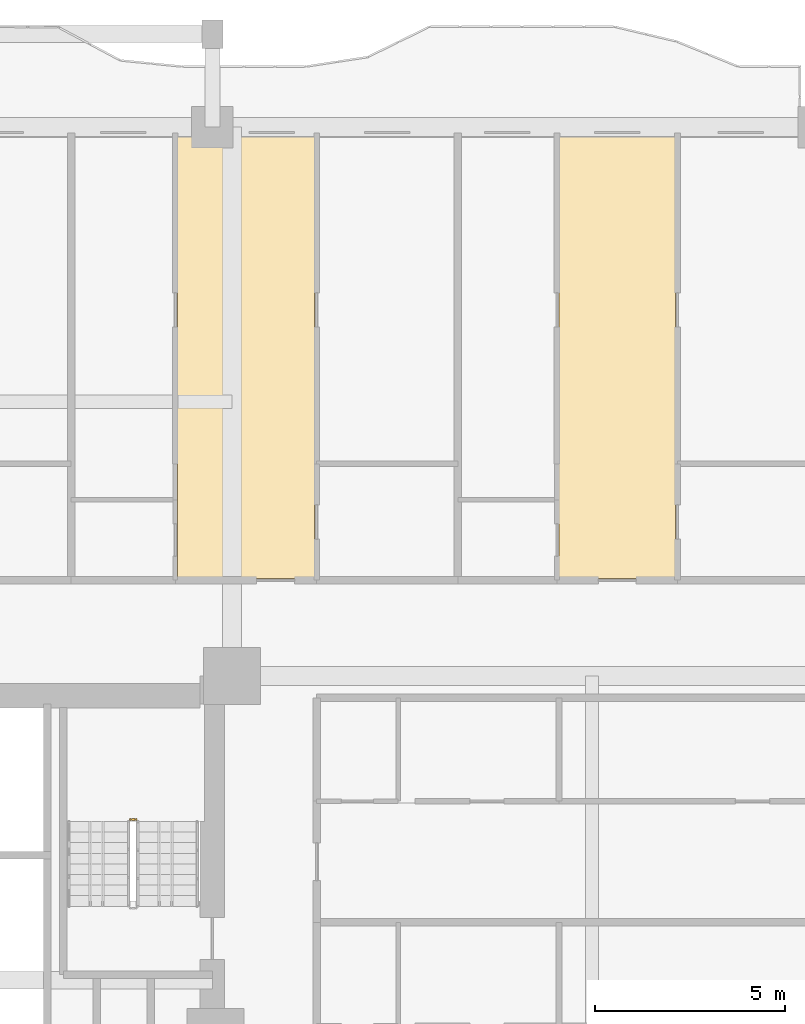
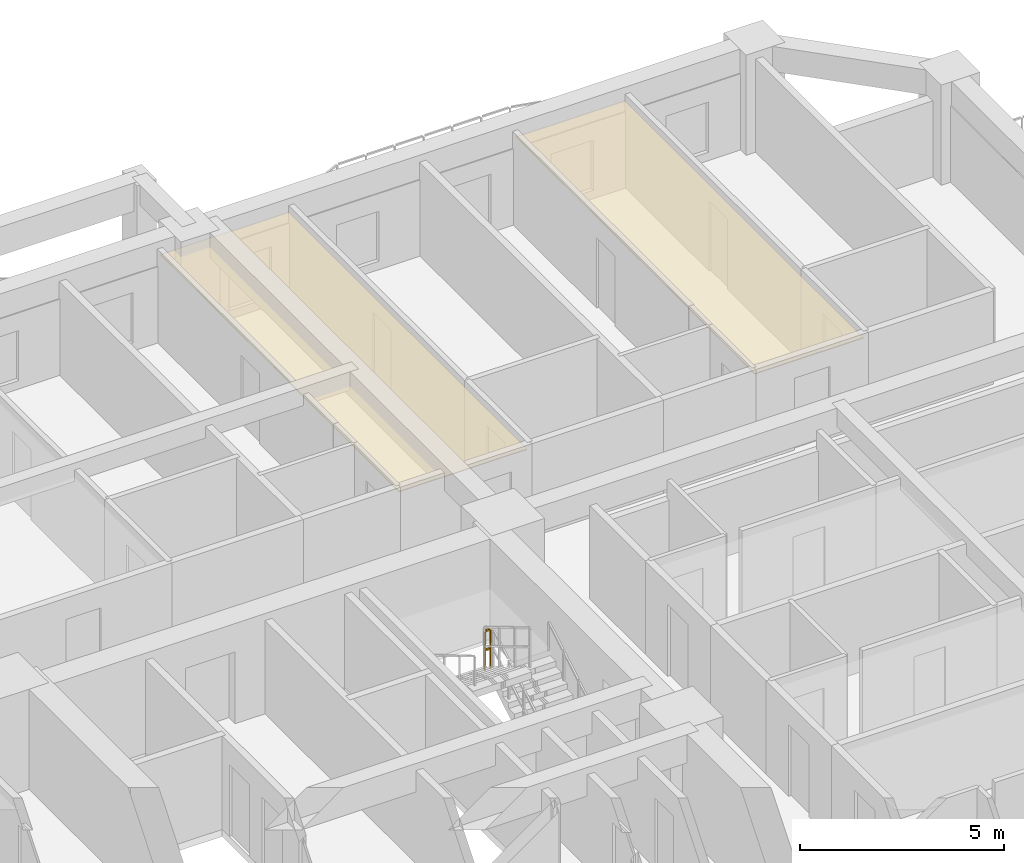
# One storey, part 16 of 16: 2 coverings, 1 railing.
"""IFC4 building model written with IfcOpenShell, lengths in metres."""

import ifcopenshell
import ifcopenshell.guid

model = None  # the IFC model being written
_history = None  # IfcOwnerHistory: only IFC2X3 demands one
_inside = {}  # id of a spatial element -> (the spatial element, [elements in it])
_under = {}  # id of a project, library or spatial element -> (it, [spatial elements below it])
_declared = {}  # id of a project -> (the project, [libraries it declares])
_typed = {}  # id of a type object -> (the type object, [elements of that type])
_made_of = {}  # id of a material, layer set ... -> (it, [elements and type objects made of it])


def new_model(schema):
    """Start an empty IFC model of exactly this schema.

    Asked for "IFC4X3", IfcOpenShell would pick the latest addendum, in which some entities
    have other attributes; the version numbers below select the first issue.
    IFC2X3 requires an IfcOwnerHistory on every rooted entity: one is made here for all.
    """
    global model, _history
    if schema == "IFC4X3":
        model = ifcopenshell.file(schema_version=(4, 3, 0, 0))
    else:
        model = ifcopenshell.file(schema=schema)
    _inside.clear()
    _under.clear()
    _declared.clear()
    _typed.clear()
    _made_of.clear()
    _history = None
    if model.schema == "IFC2X3":
        org = make("IfcOrganization", Name="unknown")
        user = make(
            "IfcPersonAndOrganization",
            ThePerson=make("IfcPerson", FamilyName="unknown"),
            TheOrganization=org,
        )
        app = make(
            "IfcApplication",
            ApplicationDeveloper=org,
            Version="unknown",
            ApplicationFullName="unknown",
            ApplicationIdentifier="unknown",
        )
        _history = make(
            "IfcOwnerHistory",
            OwningUser=user,
            OwningApplication=app,
            ChangeAction="ADDED",
            CreationDate=0,
        )
    return model


def make(cls, **values):
    """One entity of the class cls with the attributes given. An attribute that is None is left unset."""
    return model.create_entity(
        cls, **{name: value for name, value in values.items() if value is not None}
    )


def rooted(cls, **values):
    """An entity with a GlobalId (a new one), such as an element, a storey or a relation."""
    return make(cls, GlobalId=ifcopenshell.guid.new(), OwnerHistory=_history, **values)


def si_unit(unit_type, name, prefix=None):
    """IfcSIUnit, for example si_unit("LENGTHUNIT", "METRE", prefix="MILLI")."""
    return make("IfcSIUnit", UnitType=unit_type, Prefix=prefix, Name=name)


def assignment(units):
    """IfcUnitAssignment: the units of a project."""
    return None if units is None else make("IfcUnitAssignment", Units=units)


def point(xyz):
    """IfcCartesianPoint."""
    return None if xyz is None else make("IfcCartesianPoint", Coordinates=xyz)


def direction(xyz):
    """IfcDirection."""
    return None if xyz is None else make("IfcDirection", DirectionRatios=xyz)


def frame(location, z_axis=None, x_axis=None):
    """IfcAxis2Placement3D, a coordinate frame: its origin and axes. An axis left out is left unset."""
    return make(
        "IfcAxis2Placement3D",
        Location=point(location),
        Axis=direction(z_axis),
        RefDirection=direction(x_axis),
    )


def frame_2d(location, x_axis=None):
    """IfcAxis2Placement2D, a coordinate frame in the plane: its origin and x axis."""
    return make(
        "IfcAxis2Placement2D", Location=point(location), RefDirection=direction(x_axis)
    )


def origin():
    """The frame at (0, 0, 0) with its axes left unset."""
    return frame((0.0, 0.0, 0.0))


def origin_2d():
    """The frame at (0, 0) in the plane with its x axis left unset."""
    return frame_2d((0.0, 0.0))


def place(relative_to, where):
    """IfcLocalPlacement: puts the frame where relative to a parent placement (None: the world)."""
    return make(
        "IfcLocalPlacement", PlacementRelTo=relative_to, RelativePlacement=where
    )


def context(
    kind, dimensions, precision=None, world=None, true_north=None, identifier=None
):
    """IfcGeometricRepresentationContext, for example the 3D "Model" context."""
    return make(
        "IfcGeometricRepresentationContext",
        ContextIdentifier=identifier,
        ContextType=kind,
        CoordinateSpaceDimension=dimensions,
        Precision=precision,
        WorldCoordinateSystem=world,
        TrueNorth=true_north,
    )


def subcontext(parent, identifier, kind, view, scale=None):
    """IfcGeometricRepresentationSubContext, for example "Body" below "Model"."""
    return make(
        "IfcGeometricRepresentationSubContext",
        ContextIdentifier=identifier,
        ContextType=kind,
        ParentContext=parent,
        TargetScale=scale,
        TargetView=view,
    )


def project(units=None, contexts=None):
    """IfcProject with its units and contexts."""
    return rooted(
        "IfcProject",
        Name="project",
        RepresentationContexts=contexts,
        UnitsInContext=assignment(units),
    )


def spatial(cls, under=None, at=None, **own):
    """A site, building, storey or space (cls), placed at a placement, below another one or the project."""
    s = rooted(cls, ObjectPlacement=at, **own)
    if under is not None:
        _under.setdefault(under.id(), (under, []))[1].append(s)
    return s


def polyline(points):
    """IfcPolyline through the points."""
    return make("IfcPolyline", Points=[point(p) for p in points])


def profile(cls, at=None, kind="AREA", **sizes):
    """A parametric profile (cls). Its sizes go by their IFC names, for example OverallWidth=200.0."""
    return make(cls, ProfileType=kind, Position=at, **sizes)


def rectangle(**sizes):
    """IfcRectangleProfileDef."""
    return profile("IfcRectangleProfileDef", **sizes)


def outline(outer, holes=None, kind="AREA"):
    """IfcArbitraryClosedProfileDef: a profile drawn as a closed curve; with holes, ...WithVoids."""
    if holes is None:
        return make("IfcArbitraryClosedProfileDef", ProfileType=kind, OuterCurve=outer)
    return make(
        "IfcArbitraryProfileDefWithVoids",
        ProfileType=kind,
        OuterCurve=outer,
        InnerCurves=holes,
    )


def extrude(swept, where, along, depth):
    """IfcExtrudedAreaSolid: the profile swept, set in the frame where, extruded along a direction by depth."""
    return make(
        "IfcExtrudedAreaSolid",
        SweptArea=swept,
        Position=where,
        ExtrudedDirection=direction(along),
        Depth=depth,
    )


def shape(context_of_items, identifier, shape_type, items):
    """IfcShapeRepresentation: the items that make up one representation, for example the "Body"."""
    return make(
        "IfcShapeRepresentation",
        ContextOfItems=context_of_items,
        RepresentationIdentifier=identifier,
        RepresentationType=shape_type,
        Items=items,
    )


def material(Name=None, Category=None):
    """IfcMaterial."""
    return make("IfcMaterial", Name=Name, Category=Category)


def layer(
    of_material, thickness, ventilated=None, Name=None, Category=None, Priority=None
):
    """IfcMaterialLayer: one layer of a wall or slab, of a material (None: an air gap)."""
    return make(
        "IfcMaterialLayer",
        Material=of_material,
        LayerThickness=thickness,
        IsVentilated=ventilated,
        Name=Name,
        Category=Category,
        Priority=Priority,
    )


def layer_set(layers, Name=None):
    """IfcMaterialLayerSet."""
    return make("IfcMaterialLayerSet", MaterialLayers=layers, LayerSetName=Name)


def made_of(thing, what):
    """Note that an element or type object is made of a material, layer set ...; save() writes the relation."""
    if what is not None:
        _made_of.setdefault(what.id(), (what, []))[1].append(thing)
    return thing


def type_object(cls, material=None, **own):
    """A type object (cls), such as IfcWallType, which elements share."""
    return made_of(rooted(cls, **own), material)


def element(
    cls,
    number,
    at=None,
    inside=None,
    cuts=None,
    type_object=None,
    material=None,
    context=None,
    identifier="Body",
    shape_type=None,
    held_by="IfcProductDefinitionShape",
    body=None,
    shapes=None,
    **own,
):
    """One element of the class cls, such as IfcWall. Its Tag is "e" and its number.

    at: its placement. inside: the storey or other place that contains it. cuts: it is an
    opening in that element (IfcRelVoidsElement). A single representation is given by context,
    identifier, shape_type and body (its items); several are given by shapes. held_by: the class
    of the entity that holds the representations. save() writes the other relations.
    """
    e = rooted(cls, Tag="e%d" % number, ObjectPlacement=at, **own)
    if body is not None:
        shapes = [shape(context, identifier, shape_type, body)]
    if shapes is not None:
        e.Representation = make(held_by, Representations=shapes)
    if inside is not None:
        _inside.setdefault(inside.id(), (inside, []))[1].append(e)
    if cuts is not None:
        rooted(
            "IfcRelVoidsElement", RelatingBuildingElement=cuts, RelatedOpeningElement=e
        )
    if type_object is not None:
        _typed.setdefault(type_object.id(), (type_object, []))[1].append(e)
    return made_of(e, material)


def aggregate(whole, parts):
    """IfcRelAggregates: a whole, such as a stair, and the parts it consists of."""
    return rooted("IfcRelAggregates", RelatingObject=whole, RelatedObjects=parts)


def save(model, path):
    """Write the relations noted so far, then the file.

    IfcRelAggregates (storeys below a building ...), IfcRelContainedInSpatialStructure (elements
    in a storey), IfcRelDefinesByType, IfcRelAssociatesMaterial and IfcRelDeclares: one each for
    every whole, place, type object, material and project.
    """
    for whole, parts in _under.values():
        aggregate(whole, parts)
    for where, things in _inside.values():
        rooted(
            "IfcRelContainedInSpatialStructure",
            RelatedElements=things,
            RelatingStructure=where,
        )
    for kind, things in _typed.values():
        rooted("IfcRelDefinesByType", RelatedObjects=things, RelatingType=kind)
    for what, things in _made_of.values():
        rooted("IfcRelAssociatesMaterial", RelatedObjects=things, RelatingMaterial=what)
    for by, libraries in _declared.values():
        rooted("IfcRelDeclares", RelatingContext=by, RelatedDefinitions=libraries)
    model.write(path)


model = new_model("IFC4")

# Units and contexts
model_context = context("Model", 3, precision=1e-05, world=origin(), true_north=direction((0.0, 1.0)))
body_context = subcontext(model_context, "Body", "Model", "MODEL_VIEW")
ifc_project = project(units=[si_unit("LENGTHUNIT", "METRE"), si_unit("AREAUNIT", "SQUARE_METRE"), si_unit("VOLUMEUNIT", "CUBIC_METRE"), si_unit("PLANEANGLEUNIT", "RADIAN"), si_unit("MASSUNIT", "GRAM", prefix="KILO")], contexts=[model_context])

# Site, building, storey
site_placement = place(None, origin())
site = spatial("IfcSite", under=ifc_project, at=site_placement, CompositionType="ELEMENT")
building_placement = place(site_placement, origin())
building = spatial("IfcBuilding", under=site, at=building_placement, Name="Saelheon Loggia Tower", CompositionType="ELEMENT")
storey_placement = place(building_placement, frame((0.0, 0.0, 37.39990234375)))
storey = spatial("IfcBuildingStorey", under=building, at=storey_placement, Name="L11", CompositionType="ELEMENT", Elevation=37.39990234375)

# Coverings
ifc_material_1 = material(Name="Mineral-Fibre Acoustic Ceiling Board", Category="gypsum")
ifc_layer = layer(ifc_material_1, 0.02490234375)
ifc_layer_set = layer_set([ifc_layer], Name="Mineral-Fibre Acoustic Ceiling Board")
covering_type = type_object("IfcCoveringType", Name="Cov_Ceiling_Acoustic", PredefinedType="CEILING", material=ifc_layer_set)
covering_1_placement = place(storey_placement, frame((0.0, 0.0, 2.53515625)))
element("IfcCovering", 1, at=covering_1_placement, inside=storey, type_object=covering_type, Name="L11 Acoustic Suspended Ceiling", PredefinedType="CEILING", context=body_context, shape_type="SweptSolid", body=[
    extrude(outline(polyline([(43.57470703125, 39.10009765625), (47.199462890625, 39.10009765625), (47.199462890625, 50.800048828125), (43.57470703125, 50.800048828125), (43.57470703125, 39.10009765625)])), origin(), (0.0, 0.0, 1.0), 0.02490234375),
])
covering_2_placement = place(storey_placement, frame((0.0, 0.0, 2.53515625)))
element("IfcCovering", 2, at=covering_2_placement, inside=storey, type_object=covering_type, Name="L11 Acoustic Suspended Ceiling", PredefinedType="CEILING", context=body_context, shape_type="SweptSolid", body=[
    extrude(outline(polyline([(53.6396484375, 39.10009765625), (56.7177734375, 39.10009765625), (56.7177734375, 50.800048828125), (53.6396484375, 50.800048828125), (53.6396484375, 39.10009765625)])), origin(), (0.0, 0.0, 1.0), 0.02490234375),
])

# Railing
ifc_material_2 = material(Name="Galvanised Steel S275 Stairwell Guardrail", Category="steel")
railing_type = type_object("IfcRailingType", Name="Guard_StairWell_RL_STG", PredefinedType="GUARDRAIL", material=ifc_material_2)
railing_placement = place(storey_placement, frame((42.489990234375, 32.739990234375, 1.5)))
element("IfcRailing", 3, at=railing_placement, inside=storey, type_object=railing_type, Name="L11 ST2 stair guard 2", PredefinedType="GUARDRAIL", context=body_context, shape_type="SweptSolid", body=[
    extrude(rectangle(XDim=0.048095703125, YDim=0.048095703125, at=origin_2d()), frame((-0.033203125, 0.0, 1.17578125), z_axis=(-1.0, 0.0, 0.0), x_axis=(0.0, -1.0, 0.0)), (0.0, 0.0, 1.0), 0.093505859375),
    extrude(rectangle(XDim=0.048095703125, YDim=0.048095703125, at=origin_2d()), frame((-0.033203125, 0.0, 0.60009765625), z_axis=(-1.0, 0.0, 0.0), x_axis=(0.0, -1.0, 0.0)), (0.0, 0.0, 1.0), 0.093505859375),
    extrude(rectangle(XDim=0.0419921875, YDim=0.0419921875, at=origin_2d()), origin(), (0.0, 0.0, 1.0), 1.14794921875),
    extrude(rectangle(XDim=0.0419921875, YDim=0.0419921875, at=origin_2d()), frame((-0.159912109375, 0.0, 0.0)), (0.0, 0.0, 1.0), 1.14794921875),
])

save(model, "model.ifc")
